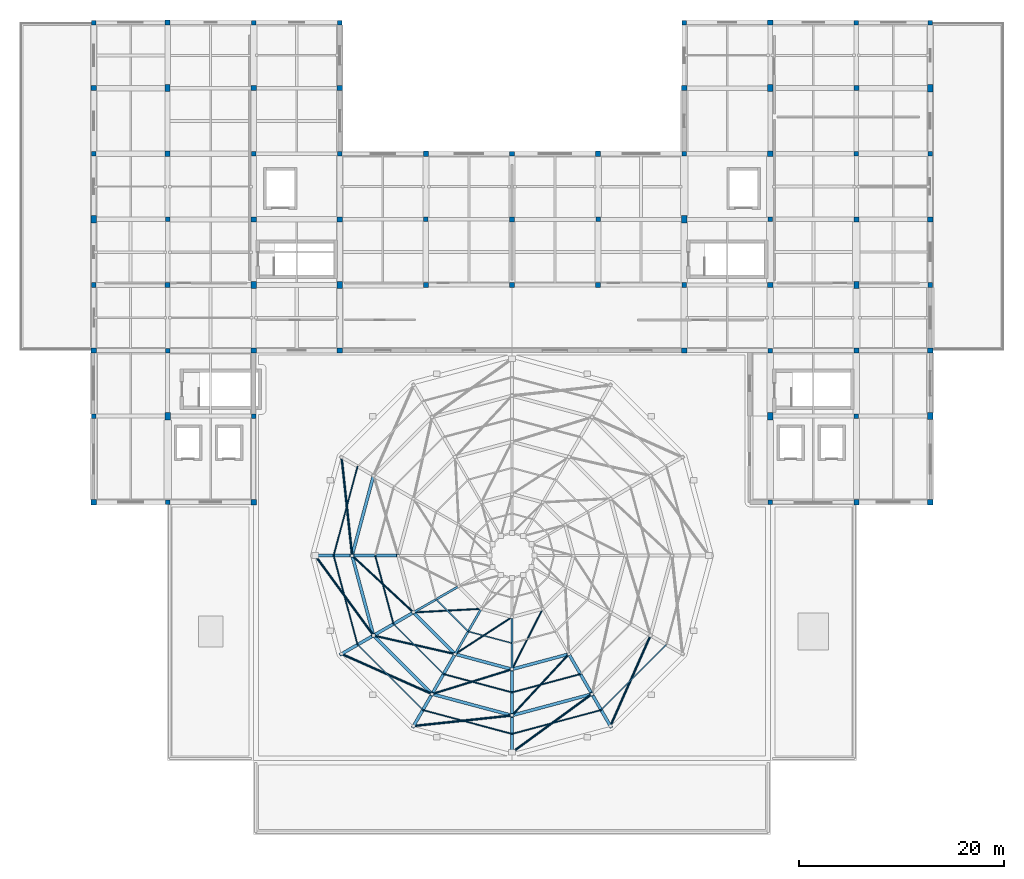
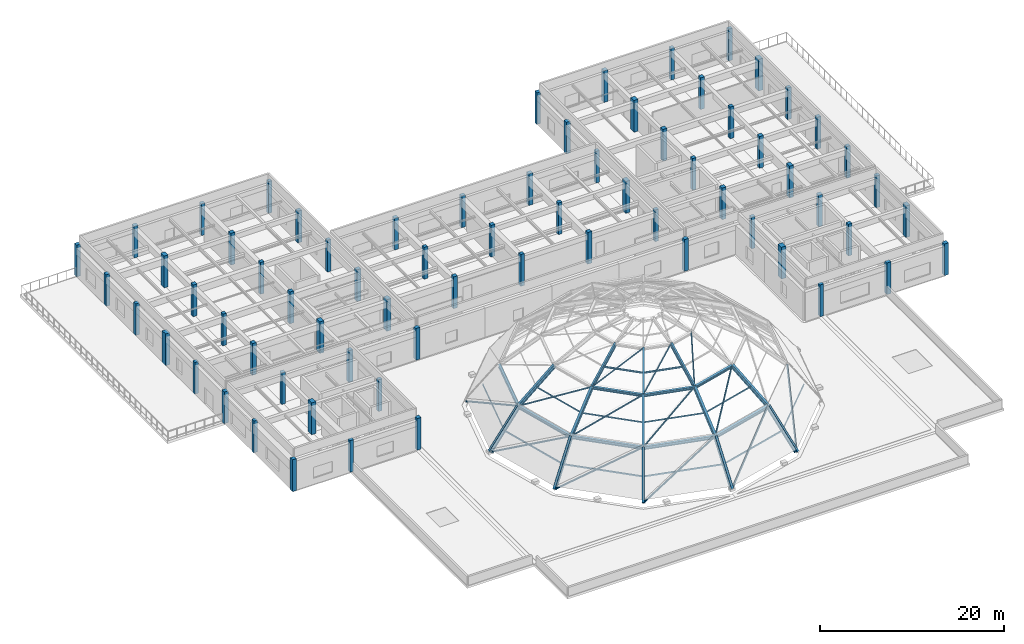
# One storey, part 1 of 18: 69 columns, 38 members, 8 beams.
"""IFC4 building model written with IfcOpenShell, lengths in metres."""

import ifcopenshell
import ifcopenshell.guid

model = None  # the IFC model being written
_history = None  # IfcOwnerHistory: only IFC2X3 demands one
_inside = {}  # id of a spatial element -> (the spatial element, [elements in it])
_under = {}  # id of a project, library or spatial element -> (it, [spatial elements below it])
_declared = {}  # id of a project -> (the project, [libraries it declares])
_typed = {}  # id of a type object -> (the type object, [elements of that type])
_made_of = {}  # id of a material, layer set ... -> (it, [elements and type objects made of it])


def new_model(schema):
    """Start an empty IFC model of exactly this schema.

    Asked for "IFC4X3", IfcOpenShell would pick the latest addendum, in which some entities
    have other attributes; the version numbers below select the first issue.
    IFC2X3 requires an IfcOwnerHistory on every rooted entity: one is made here for all.
    """
    global model, _history
    if schema == "IFC4X3":
        model = ifcopenshell.file(schema_version=(4, 3, 0, 0))
    else:
        model = ifcopenshell.file(schema=schema)
    _inside.clear()
    _under.clear()
    _declared.clear()
    _typed.clear()
    _made_of.clear()
    _history = None
    if model.schema == "IFC2X3":
        org = make("IfcOrganization", Name="unknown")
        user = make(
            "IfcPersonAndOrganization",
            ThePerson=make("IfcPerson", FamilyName="unknown"),
            TheOrganization=org,
        )
        app = make(
            "IfcApplication",
            ApplicationDeveloper=org,
            Version="unknown",
            ApplicationFullName="unknown",
            ApplicationIdentifier="unknown",
        )
        _history = make(
            "IfcOwnerHistory",
            OwningUser=user,
            OwningApplication=app,
            ChangeAction="ADDED",
            CreationDate=0,
        )
    return model


def make(cls, **values):
    """One entity of the class cls with the attributes given. An attribute that is None is left unset."""
    return model.create_entity(
        cls, **{name: value for name, value in values.items() if value is not None}
    )


def rooted(cls, **values):
    """An entity with a GlobalId (a new one), such as an element, a storey or a relation."""
    return make(cls, GlobalId=ifcopenshell.guid.new(), OwnerHistory=_history, **values)


def si_unit(unit_type, name, prefix=None):
    """IfcSIUnit, for example si_unit("LENGTHUNIT", "METRE", prefix="MILLI")."""
    return make("IfcSIUnit", UnitType=unit_type, Prefix=prefix, Name=name)


def assignment(units):
    """IfcUnitAssignment: the units of a project."""
    return None if units is None else make("IfcUnitAssignment", Units=units)


def point(xyz):
    """IfcCartesianPoint."""
    return None if xyz is None else make("IfcCartesianPoint", Coordinates=xyz)


def direction(xyz):
    """IfcDirection."""
    return None if xyz is None else make("IfcDirection", DirectionRatios=xyz)


def frame(location, z_axis=None, x_axis=None):
    """IfcAxis2Placement3D, a coordinate frame: its origin and axes. An axis left out is left unset."""
    return make(
        "IfcAxis2Placement3D",
        Location=point(location),
        Axis=direction(z_axis),
        RefDirection=direction(x_axis),
    )


def frame_2d(location, x_axis=None):
    """IfcAxis2Placement2D, a coordinate frame in the plane: its origin and x axis."""
    return make(
        "IfcAxis2Placement2D", Location=point(location), RefDirection=direction(x_axis)
    )


def origin():
    """The frame at (0, 0, 0) with its axes left unset."""
    return frame((0.0, 0.0, 0.0))


def origin_2d():
    """The frame at (0, 0) in the plane with its x axis left unset."""
    return frame_2d((0.0, 0.0))


def place(relative_to, where):
    """IfcLocalPlacement: puts the frame where relative to a parent placement (None: the world)."""
    return make(
        "IfcLocalPlacement", PlacementRelTo=relative_to, RelativePlacement=where
    )


def context(
    kind, dimensions, precision=None, world=None, true_north=None, identifier=None
):
    """IfcGeometricRepresentationContext, for example the 3D "Model" context."""
    return make(
        "IfcGeometricRepresentationContext",
        ContextIdentifier=identifier,
        ContextType=kind,
        CoordinateSpaceDimension=dimensions,
        Precision=precision,
        WorldCoordinateSystem=world,
        TrueNorth=true_north,
    )


def subcontext(parent, identifier, kind, view, scale=None):
    """IfcGeometricRepresentationSubContext, for example "Body" below "Model"."""
    return make(
        "IfcGeometricRepresentationSubContext",
        ContextIdentifier=identifier,
        ContextType=kind,
        ParentContext=parent,
        TargetScale=scale,
        TargetView=view,
    )


def project(units=None, contexts=None):
    """IfcProject with its units and contexts."""
    return rooted(
        "IfcProject",
        Name="project",
        RepresentationContexts=contexts,
        UnitsInContext=assignment(units),
    )


def spatial(cls, under=None, at=None, **own):
    """A site, building, storey or space (cls), placed at a placement, below another one or the project."""
    s = rooted(cls, ObjectPlacement=at, **own)
    if under is not None:
        _under.setdefault(under.id(), (under, []))[1].append(s)
    return s


def profile(cls, at=None, kind="AREA", **sizes):
    """A parametric profile (cls). Its sizes go by their IFC names, for example OverallWidth=200.0."""
    return make(cls, ProfileType=kind, Position=at, **sizes)


def rectangle(**sizes):
    """IfcRectangleProfileDef."""
    return profile("IfcRectangleProfileDef", **sizes)


def hollow_rectangle(**sizes):
    """IfcRectangleHollowProfileDef."""
    return profile("IfcRectangleHollowProfileDef", **sizes)


def hollow_circle(**sizes):
    """IfcCircleHollowProfileDef."""
    return profile("IfcCircleHollowProfileDef", **sizes)


def i_section(**sizes):
    """IfcIShapeProfileDef."""
    return profile("IfcIShapeProfileDef", **sizes)


def extrude(swept, where, along, depth):
    """IfcExtrudedAreaSolid: the profile swept, set in the frame where, extruded along a direction by depth."""
    return make(
        "IfcExtrudedAreaSolid",
        SweptArea=swept,
        Position=where,
        ExtrudedDirection=direction(along),
        Depth=depth,
    )


def shape(context_of_items, identifier, shape_type, items):
    """IfcShapeRepresentation: the items that make up one representation, for example the "Body"."""
    return make(
        "IfcShapeRepresentation",
        ContextOfItems=context_of_items,
        RepresentationIdentifier=identifier,
        RepresentationType=shape_type,
        Items=items,
    )


def material(Name=None, Category=None):
    """IfcMaterial."""
    return make("IfcMaterial", Name=Name, Category=Category)


def material_profile(
    of_material, cross_section, Name=None, Category=None, Priority=None
):
    """IfcMaterialProfile: a cross section and its material."""
    return make(
        "IfcMaterialProfile",
        Name=Name,
        Material=of_material,
        Profile=cross_section,
        Priority=Priority,
        Category=Category,
    )


def profile_set(profiles, Name=None, composite=None):
    """IfcMaterialProfileSet."""
    return make(
        "IfcMaterialProfileSet",
        Name=Name,
        MaterialProfiles=profiles,
        CompositeProfile=composite,
    )


def made_of(thing, what):
    """Note that an element or type object is made of a material, layer set ...; save() writes the relation."""
    if what is not None:
        _made_of.setdefault(what.id(), (what, []))[1].append(thing)
    return thing


def type_object(cls, material=None, **own):
    """A type object (cls), such as IfcWallType, which elements share."""
    return made_of(rooted(cls, **own), material)


def element(
    cls,
    number,
    at=None,
    inside=None,
    cuts=None,
    type_object=None,
    material=None,
    context=None,
    identifier="Body",
    shape_type=None,
    held_by="IfcProductDefinitionShape",
    body=None,
    shapes=None,
    **own,
):
    """One element of the class cls, such as IfcWall. Its Tag is "e" and its number.

    at: its placement. inside: the storey or other place that contains it. cuts: it is an
    opening in that element (IfcRelVoidsElement). A single representation is given by context,
    identifier, shape_type and body (its items); several are given by shapes. held_by: the class
    of the entity that holds the representations. save() writes the other relations.
    """
    e = rooted(cls, Tag="e%d" % number, ObjectPlacement=at, **own)
    if body is not None:
        shapes = [shape(context, identifier, shape_type, body)]
    if shapes is not None:
        e.Representation = make(held_by, Representations=shapes)
    if inside is not None:
        _inside.setdefault(inside.id(), (inside, []))[1].append(e)
    if cuts is not None:
        rooted(
            "IfcRelVoidsElement", RelatingBuildingElement=cuts, RelatedOpeningElement=e
        )
    if type_object is not None:
        _typed.setdefault(type_object.id(), (type_object, []))[1].append(e)
    return made_of(e, material)


def aggregate(whole, parts):
    """IfcRelAggregates: a whole, such as a stair, and the parts it consists of."""
    return rooted("IfcRelAggregates", RelatingObject=whole, RelatedObjects=parts)


def save(model, path):
    """Write the relations noted so far, then the file.

    IfcRelAggregates (storeys below a building ...), IfcRelContainedInSpatialStructure (elements
    in a storey), IfcRelDefinesByType, IfcRelAssociatesMaterial and IfcRelDeclares: one each for
    every whole, place, type object, material and project.
    """
    for whole, parts in _under.values():
        aggregate(whole, parts)
    for where, things in _inside.values():
        rooted(
            "IfcRelContainedInSpatialStructure",
            RelatedElements=things,
            RelatingStructure=where,
        )
    for kind, things in _typed.values():
        rooted("IfcRelDefinesByType", RelatedObjects=things, RelatingType=kind)
    for what, things in _made_of.values():
        rooted("IfcRelAssociatesMaterial", RelatedObjects=things, RelatingMaterial=what)
    for by, libraries in _declared.values():
        rooted("IfcRelDeclares", RelatingContext=by, RelatedDefinitions=libraries)
    model.write(path)


model = new_model("IFC4")

# Units and contexts
model_context = context("Model", 3, precision=1e-05, world=origin(), true_north=direction((0.0, 1.0)))
body_context = subcontext(model_context, "Body", "Model", "MODEL_VIEW")
ifc_project = project(units=[si_unit("LENGTHUNIT", "METRE"), si_unit("AREAUNIT", "SQUARE_METRE"), si_unit("VOLUMEUNIT", "CUBIC_METRE"), si_unit("PLANEANGLEUNIT", "RADIAN"), si_unit("MASSUNIT", "GRAM", prefix="KILO")], contexts=[model_context])

# Site, building, storey
site_placement = place(None, origin())
site = spatial("IfcSite", under=ifc_project, at=site_placement, CompositionType="ELEMENT")
building_placement = place(site_placement, origin())
building = spatial("IfcBuilding", under=site, at=building_placement, Name="Korsvaeld Concert Hall", CompositionType="ELEMENT")
storey_placement = place(building_placement, frame((0.0, 0.0, 17.39990234375)))
storey = spatial("IfcBuildingStorey", under=building, at=storey_placement, Name="L04", CompositionType="ELEMENT", Elevation=17.39990234375)

# Columns
ifc_material_1 = material(Name="Concrete C40/50", Category="concrete")
ifc_material_profile_1 = material_profile(ifc_material_1, rectangle(XDim=0.449951171875, YDim=0.449951171875, at=origin_2d()), Name="RC 450x450")
ifc_profile_set_1 = profile_set([ifc_material_profile_1], Name="Concrete C40/50")
column_type_1 = type_object("IfcColumnType", Name="COL-RC-450x450", PredefinedType="COLUMN", material=ifc_profile_set_1)
for number, where, z_axis, x_axis, name in (
    (1, (67.199951171875, 102.39990234375, 0.0), (0.0, 0.0, 1.0), (1.0, 0.0, 0.0), "Column 10/Q L04"),
    (2, (67.199951171875, 115.199951171875, 0.0), (0.0, 0.0, 1.0), (1.0, 0.0, 0.0), "Column 10/S L04"),
    (3, (75.60009765625, 96.0, 0.0), (0.0, 0.0, 1.0), (1.0, 0.0, 0.0), "Column 11/P L04"),
    (4, (84.0, 89.60009765625, 0.0), (0.0, 0.0, 1.0), (1.0, 0.0, 0.0), "Column 12/N L04"),
    (5, (84.0, 102.39990234375, 0.0), (0.0, 0.0, 1.0), (1.0, 0.0, 0.0), "Column 12/Q L04"),
    (6, (92.39990234375, 96.0, 0.0), (0.0, 0.0, 1.0), (1.0, 0.0, 0.0), "Column 13/P L04"),
    (7, (100.800048828125, 89.60009765625, 0.0), (0.0, 0.0, 1.0), (1.0, 0.0, 0.0), "Column 14/N L04"),
    (8, (100.800048828125, 102.39990234375, 0.0), (0.0, 0.0, 1.0), (1.0, 0.0, 0.0), "Column 14/Q L04"),
    (9, (100.800048828125, 115.199951171875, 0.0), (0.0, 0.0, 1.0), (1.0, 0.0, 0.0), "Column 14/S L04"),
    (10, (109.199951171875, 68.39990234375, 0.0), (0.0, 0.0, 1.0), (1.0, 0.0, 0.0), "Column 15/K L04"),
    (11, (109.199951171875, 83.199951171875, 0.0), (0.0, 0.0, 1.0), (1.0, 0.0, 0.0), "Column 15/M L04"),
    (12, (109.199951171875, 96.0, 0.0), (0.0, 0.0, 1.0), (1.0, 0.0, 0.0), "Column 15/P L04"),
    (13, (117.60009765625, 76.800048828125, 0.0), (0.0, 0.0, 1.0), (1.0, 0.0, 0.0), "Column 16/L L04"),
    (14, (117.60009765625, 102.39990234375, 0.0), (0.0, 0.0, 1.0), (1.0, 0.0, 0.0), "Column 16/Q L04"),
    (15, (117.60009765625, 115.199951171875, 0.0), (0.0, 0.0, 1.0), (1.0, 0.0, 0.0), "Column 16/S L04"),
    (16, (124.800048828125, 89.60009765625, 0.0), (0.0, 0.0, 1.0), (1.0, 0.0, 0.0), "Column 17/N L04"),
    (17, (124.800048828125, 102.39990234375, 0.0), (0.0, 0.0, 1.0), (1.0, 0.0, 0.0), "Column 17/Q L04"),
    (18, (124.800048828125, 115.199951171875, 0.0), (0.0, 0.0, 1.0), (1.0, 0.0, 0.0), "Column 17/S L04"),
    (19, (43.199951171875, 76.800048828125, 0.0), (0.0, 0.0, 1.0), (1.0, 0.0, 0.0), "Column 7/L L04"),
    (20, (43.199951171875, 89.60009765625, 0.0), (0.0, 0.0, 1.0), (1.0, 0.0, 0.0), "Column 7/N L04"),
    (21, (43.199951171875, 102.39990234375, 0.0), (0.0, 0.0, 1.0), (1.0, 0.0, 0.0), "Column 7/Q L04"),
    (22, (43.199951171875, 115.199951171875, 0.0), (0.0, 0.0, 1.0), (1.0, 0.0, 0.0), "Column 7/S L04"),
    (23, (50.39990234375, 68.39990234375, 0.0), (0.0, 0.0, 1.0), (1.0, 0.0, 0.0), "Column 8/K L04"),
    (24, (50.39990234375, 83.199951171875, 0.0), (0.0, 0.0, 1.0), (1.0, 0.0, 0.0), "Column 8/M L04"),
    (25, (50.39990234375, 96.0, 0.0), (0.0, 0.0, 1.0), (1.0, 0.0, 0.0), "Column 8/P L04"),
    (26, (58.800048828125, 76.800048828125, 0.0), (0.0, 0.0, 1.0), (1.0, 0.0, 0.0), "Column 9/L L04"),
    (27, (58.800048828125, 102.39990234375, 0.0), (0.0, 0.0, 1.0), (1.0, 0.0, 0.0), "Column 9/Q L04"),
    (28, (58.800048828125, 115.199951171875, 0.0), (0.0, 0.0, 1.0), (1.0, 0.0, 0.0), "Column 9/S L04"),
):
    element("IfcColumn", number, at=place(storey_placement, frame(where, z_axis=z_axis, x_axis=x_axis)), inside=storey, type_object=column_type_1, Name=name, PredefinedType="COLUMN", context=body_context, shape_type="SweptSolid", body=[
        extrude(rectangle(XDim=0.449951171875, YDim=0.449951171875, at=origin_2d()), origin(), (0.0, 0.0, 1.0), 4.2001953125),
    ])
ifc_material_profile_2 = material_profile(ifc_material_1, rectangle(XDim=0.5, YDim=0.5, at=origin_2d()), Name="RC 500x500")
ifc_profile_set_2 = profile_set([ifc_material_profile_2], Name="Concrete C40/50")
column_type_2 = type_object("IfcColumnType", Name="COL-RC-500x500", PredefinedType="COLUMN", material=ifc_profile_set_2)
for number, where, z_axis, x_axis, name in (
    (29, (67.199951171875, 83.199951171875, 0.0), (0.0, 0.0, 1.0), (1.0, 0.0, 0.0), "Column 10/M L04"),
    (30, (67.199951171875, 96.0, 0.0), (0.0, 0.0, 1.0), (1.0, 0.0, 0.0), "Column 10/P L04"),
    (31, (67.199951171875, 108.800048828125, 0.0), (0.0, 0.0, 1.0), (1.0, 0.0, 0.0), "Column 10/R L04"),
    (32, (75.60009765625, 89.60009765625, 0.0), (0.0, 0.0, 1.0), (1.0, 0.0, 0.0), "Column 11/N L04"),
    (33, (75.60009765625, 102.39990234375, 0.0), (0.0, 0.0, 1.0), (1.0, 0.0, 0.0), "Column 11/Q L04"),
    (34, (84.0, 96.0, 0.0), (0.0, 0.0, 1.0), (1.0, 0.0, 0.0), "Column 12/P L04"),
    (35, (92.39990234375, 89.60009765625, 0.0), (0.0, 0.0, 1.0), (1.0, 0.0, 0.0), "Column 13/N L04"),
    (36, (92.39990234375, 102.39990234375, 0.0), (0.0, 0.0, 1.0), (1.0, 0.0, 0.0), "Column 13/Q L04"),
    (37, (100.800048828125, 83.199951171875, 0.0), (0.0, 0.0, 1.0), (1.0, 0.0, 0.0), "Column 14/M L04"),
    (38, (100.800048828125, 108.800048828125, 0.0), (0.0, 0.0, 1.0), (1.0, 0.0, 0.0), "Column 14/R L04"),
    (39, (109.199951171875, 89.60009765625, 0.0), (0.0, 0.0, 1.0), (1.0, 0.0, 0.0), "Column 15/N L04"),
    (40, (109.199951171875, 102.39990234375, 0.0), (0.0, 0.0, 1.0), (1.0, 0.0, 0.0), "Column 15/Q L04"),
    (41, (109.199951171875, 115.199951171875, 0.0), (0.0, 0.0, 1.0), (1.0, 0.0, 0.0), "Column 15/S L04"),
    (42, (117.60009765625, 68.39990234375, 0.0), (0.0, 0.0, 1.0), (1.0, 0.0, 0.0), "Column 16/K L04"),
    (43, (117.60009765625, 83.199951171875, 0.0), (0.0, 0.0, 1.0), (1.0, 0.0, 0.0), "Column 16/M L04"),
    (44, (117.60009765625, 96.0, 0.0), (0.0, 0.0, 1.0), (1.0, 0.0, 0.0), "Column 16/P L04"),
    (45, (117.60009765625, 108.800048828125, 0.0), (0.0, 0.0, 1.0), (1.0, 0.0, 0.0), "Column 16/R L04"),
    (46, (124.800048828125, 68.39990234375, 0.0), (0.0, 0.0, 1.0), (1.0, 0.0, 0.0), "Column 17/K L04"),
    (47, (124.800048828125, 83.199951171875, 0.0), (0.0, 0.0, 1.0), (1.0, 0.0, 0.0), "Column 17/M L04"),
    (48, (124.800048828125, 96.0, 0.0), (0.0, 0.0, 1.0), (1.0, 0.0, 0.0), "Column 17/P L04"),
    (49, (43.199951171875, 68.39990234375, 0.0), (0.0, 0.0, 1.0), (1.0, 0.0, 0.0), "Column 7/K L04"),
    (50, (43.199951171875, 83.199951171875, 0.0), (0.0, 0.0, 1.0), (1.0, 0.0, 0.0), "Column 7/M L04"),
    (51, (43.199951171875, 108.800048828125, 0.0), (0.0, 0.0, 1.0), (1.0, 0.0, 0.0), "Column 7/R L04"),
    (52, (50.39990234375, 89.60009765625, 0.0), (0.0, 0.0, 1.0), (1.0, 0.0, 0.0), "Column 8/N L04"),
    (53, (50.39990234375, 102.39990234375, 0.0), (0.0, 0.0, 1.0), (1.0, 0.0, 0.0), "Column 8/Q L04"),
    (54, (50.39990234375, 115.199951171875, 0.0), (0.0, 0.0, 1.0), (1.0, 0.0, 0.0), "Column 8/S L04"),
    (55, (58.800048828125, 68.39990234375, 0.0), (0.0, 0.0, 1.0), (1.0, 0.0, 0.0), "Column 9/K L04"),
    (56, (58.800048828125, 83.199951171875, 0.0), (0.0, 0.0, 1.0), (1.0, 0.0, 0.0), "Column 9/M L04"),
    (57, (58.800048828125, 96.0, 0.0), (0.0, 0.0, 1.0), (1.0, 0.0, 0.0), "Column 9/P L04"),
    (58, (58.800048828125, 108.800048828125, 0.0), (0.0, 0.0, 1.0), (1.0, 0.0, 0.0), "Column 9/R L04"),
):
    element("IfcColumn", number, at=place(storey_placement, frame(where, z_axis=z_axis, x_axis=x_axis)), inside=storey, type_object=column_type_2, Name=name, PredefinedType="COLUMN", context=body_context, shape_type="SweptSolid", body=[
        extrude(rectangle(XDim=0.5, YDim=0.5, at=origin_2d()), origin(), (0.0, 0.0, 1.0), 4.2001953125),
    ])
ifc_material_profile_3 = material_profile(ifc_material_1, rectangle(XDim=0.5, YDim=0.699951171875, at=origin_2d()), Name="RC 500x700")
ifc_profile_set_3 = profile_set([ifc_material_profile_3], Name="Concrete C40/50")
column_type_3 = type_object("IfcColumnType", Name="COL-RC-500x700", PredefinedType="COLUMN", material=ifc_profile_set_3)
for number, where, z_axis, x_axis, name in (
    (59, (67.199951171875, 89.60009765625, 0.0), (0.0, 0.0, 1.0), (1.0, 0.0, 0.0), "Column 10/N L04"),
    (60, (109.199951171875, 108.800048828125, 0.0), (0.0, 0.0, 1.0), (1.0, 0.0, 0.0), "Column 15/R L04"),
    (61, (117.60009765625, 89.60009765625, 0.0), (0.0, 0.0, 1.0), (1.0, 0.0, 0.0), "Column 16/N L04"),
    (62, (124.800048828125, 76.800048828125, 0.0), (0.0, 0.0, 1.0), (1.0, 0.0, 0.0), "Column 17/L L04"),
    (63, (50.39990234375, 108.800048828125, 0.0), (0.0, 0.0, 1.0), (1.0, 0.0, 0.0), "Column 8/R L04"),
    (64, (58.800048828125, 89.60009765625, 0.0), (0.0, 0.0, 1.0), (1.0, 0.0, 0.0), "Column 9/N L04"),
):
    element("IfcColumn", number, at=place(storey_placement, frame(where, z_axis=z_axis, x_axis=x_axis)), inside=storey, type_object=column_type_3, Name=name, PredefinedType="COLUMN", context=body_context, shape_type="SweptSolid", body=[
        extrude(rectangle(XDim=0.5, YDim=0.699951171875, at=origin_2d()), origin(), (0.0, 0.0, 1.0), 4.2001953125),
    ])
ifc_material_profile_4 = material_profile(ifc_material_1, rectangle(XDim=0.550048828125, YDim=0.75, at=origin_2d()), Name="RC 550x750")
ifc_profile_set_4 = profile_set([ifc_material_profile_4], Name="Concrete C40/50")
column_type_4 = type_object("IfcColumnType", Name="COL-RC-550x750", PredefinedType="COLUMN", material=ifc_profile_set_4)
for number, where, z_axis, x_axis, name in (
    (65, (100.800048828125, 96.0, 0.0), (0.0, 0.0, 1.0), (1.0, 0.0, 0.0), "Column 14/P L04"),
    (66, (109.199951171875, 76.800048828125, 0.0), (0.0, 0.0, 1.0), (1.0, 0.0, 0.0), "Column 15/L L04"),
    (67, (124.800048828125, 108.800048828125, 0.0), (0.0, 0.0, 1.0), (1.0, 0.0, 0.0), "Column 17/R L04"),
    (68, (43.199951171875, 96.0, 0.0), (0.0, 0.0, 1.0), (1.0, 0.0, 0.0), "Column 7/P L04"),
    (69, (50.39990234375, 76.800048828125, 0.0), (0.0, 0.0, 1.0), (1.0, 0.0, 0.0), "Column 8/L L04"),
):
    element("IfcColumn", number, at=place(storey_placement, frame(where, z_axis=z_axis, x_axis=x_axis)), inside=storey, type_object=column_type_4, Name=name, PredefinedType="COLUMN", context=body_context, shape_type="SweptSolid", body=[
        extrude(rectangle(XDim=0.550048828125, YDim=0.75, at=origin_2d()), origin(), (0.0, 0.0, 1.0), 4.2001953125),
    ])

# Beams
ifc_material_2 = material(Name="Steel S355J2", Category="steel")
ifc_material_profile_5 = material_profile(ifc_material_2, i_section(OverallWidth=0.300048828125, OverallDepth=0.340087890625, WebThickness=0.011962890625, FlangeThickness=0.021484375, FilletRadius=0.027099609375, at=origin_2d()), Name="HEB 340")
ifc_profile_set_5 = profile_set([ifc_material_profile_5], Name="Steel S355J2")
beam_type_1 = type_object("IfcBeamType", Name="BM-RING-HEB340", PredefinedType="USERDEFINED", material=ifc_profile_set_5)
beam_placement = place(storey_placement, frame((74.38720703125, 57.64990234375, 9.16015625), z_axis=(0.707106781187, -0.707106781187, 0.0), x_axis=(0.707106781187, 0.707106781187, 0.0)))
element("IfcBeam", 70, at=beam_placement, inside=storey, type_object=beam_type_1, Name="Dome latitude ring beam T2.B08", ObjectType="RING BEAM", PredefinedType="USERDEFINED", context=body_context, shape_type="SweptSolid", body=[
    extrude(i_section(OverallWidth=0.300048828125, OverallDepth=0.340087890625, WebThickness=0.011962890625, FlangeThickness=0.021484375, FilletRadius=0.027099609375, at=origin_2d()), origin(), (0.0, 0.0, 1.0), 5.74560546875),
])
for number, where, z_axis, x_axis, name in (
    (71, (78.449951171875, 53.587158203125, 9.16015625), (0.965928896046, -0.258807588344, 0.0), (0.258807588344, 0.965928896046, 0.0), "Dome latitude ring beam T2.B09"),
    (72, (84.0, 52.10009765625, 9.16015625), (0.965928896046, 0.258807588344, 0.0), (-0.258807588344, 0.965928896046, 0.0), "Dome latitude ring beam T2.B10"),
):
    element("IfcBeam", number, at=place(storey_placement, frame(where, z_axis=z_axis, x_axis=x_axis)), inside=storey, type_object=beam_type_1, Name=name, ObjectType="RING BEAM", PredefinedType="USERDEFINED", context=body_context, shape_type="SweptSolid", body=[
        extrude(i_section(OverallWidth=0.300048828125, OverallDepth=0.340087890625, WebThickness=0.011962890625, FlangeThickness=0.021484375, FilletRadius=0.027099609375, at=origin_2d()), origin(), (0.0, 0.0, 1.0), 5.745849609375),
    ])
ifc_material_profile_6 = material_profile(ifc_material_2, i_section(OverallWidth=0.300048828125, OverallDepth=0.39990234375, WebThickness=0.013427734375, FlangeThickness=0.02392578125, FilletRadius=0.027099609375, at=origin_2d()), Name="HEB 400")
ifc_profile_set_6 = profile_set([ifc_material_profile_6], Name="Steel S355J2")
beam_type_2 = type_object("IfcBeamType", Name="BM-RING-HEB400", PredefinedType="USERDEFINED", material=ifc_profile_set_6)
for number, where, z_axis, x_axis, name in (
    (73, (70.489990234375, 71.0, 5.360107421875), (-0.258827260717, -0.965923624884, 0.0), (0.965923624884, -0.258827260717, 0.0), "Dome latitude ring beam T1.B06"),
    (74, (68.39990234375, 63.199951171875, 5.360107421875), (0.258827260717, -0.965923624884, 0.0), (0.965923624884, 0.258827260717, 0.0), "Dome latitude ring beam T1.B07"),
    (75, (70.489990234375, 55.39990234375, 5.360107421875), (0.707106781187, -0.707106781187, 0.0), (0.707106781187, 0.707106781187, 0.0), "Dome latitude ring beam T1.B08"),
    (76, (76.199951171875, 49.68994140625, 5.360107421875), (0.965931183079, -0.258799052463, 0.0), (0.258799052463, 0.965931183079, 0.0), "Dome latitude ring beam T1.B09"),
    (77, (84.0, 47.60009765625, 5.360107421875), (0.965931183079, 0.258799052463, 0.0), (-0.258799052463, 0.965931183079, 0.0), "Dome latitude ring beam T1.B10"),
):
    element("IfcBeam", number, at=place(storey_placement, frame(where, z_axis=z_axis, x_axis=x_axis)), inside=storey, type_object=beam_type_2, Name=name, ObjectType="RING BEAM", PredefinedType="USERDEFINED", context=body_context, shape_type="SweptSolid", body=[
        extrude(i_section(OverallWidth=0.300048828125, OverallDepth=0.39990234375, WebThickness=0.013427734375, FlangeThickness=0.02392578125, FilletRadius=0.027099609375, at=origin_2d()), origin(), (0.0, 0.0, 1.0), 8.0751953125),
    ])

# Members
ifc_material_profile_7 = material_profile(ifc_material_2, hollow_circle(Radius=0.084228515625, WallThickness=0.008056640625, at=origin_2d()), Name="CHS 168.3x8")
ifc_profile_set_7 = profile_set([ifc_material_profile_7], Name="Steel S355J2")
member_type_1 = type_object("IfcMemberType", Name="MEM-BRC-CHS168", PredefinedType="BRACE", material=ifc_profile_set_7)
for number, where, z_axis, x_axis, name in (
    (78, (74.38720703125, 57.64990234375, 9.25), (0.929492558563, 0.049758702279, 0.365469089149), (-0.053456647282, 0.998570171226, 0.0), "Dome diagonal brace T3.B08"),
    (79, (78.449951171875, 53.587158203125, 9.25), (0.78010606294, 0.507808451123, 0.365465603761), (-0.54554673066, 0.838080404655, 0.0), "Dome diagonal brace T3.B09"),
    (80, (84.0, 52.10009765625, 9.25), (0.421676738996, 0.82983291849, 0.365466900253), (-0.891503247431, 0.453014304211, 0.0), "Dome diagonal brace T3.B10"),
):
    element("IfcMember", number, at=place(storey_placement, frame(where, z_axis=z_axis, x_axis=x_axis)), inside=storey, type_object=member_type_1, Name=name, PredefinedType="BRACE", context=body_context, shape_type="SweptSolid", body=[
        extrude(hollow_circle(Radius=0.084228515625, WallThickness=0.008056640625, at=origin_2d()), origin(), (0.0, 0.0, 1.0), 7.114501953125),
    ])
ifc_material_profile_8 = material_profile(ifc_material_2, hollow_circle(Radius=0.096923828125, WallThickness=0.010009765625, at=origin_2d()), Name="CHS 193.7x10")
ifc_profile_set_8 = profile_set([ifc_material_profile_8], Name="Steel S355J2")
member_type_2 = type_object("IfcMemberType", Name="MEM-BRC-CHS193", PredefinedType="BRACE", material=ifc_profile_set_8)
member_1_placement = place(storey_placement, frame((68.39990234375, 63.199951171875, 5.4501953125), z_axis=(0.664889359379, -0.616332156531, 0.421967786225), x_axis=(0.679819984239, 0.7333790214, 0.0)))
element("IfcMember", 81, at=member_1_placement, inside=storey, type_object=member_type_2, Name="Dome diagonal brace T2.B07", PredefinedType="BRACE", context=body_context, shape_type="SweptSolid", body=[
    extrude(hollow_circle(Radius=0.096923828125, WallThickness=0.010009765625, at=origin_2d()), origin(), (0.0, 0.0, 1.0), 9.0048828125),
])
member_2_placement = place(storey_placement, frame((70.489990234375, 55.39990234375, 5.4501953125), z_axis=(0.883973494175, -0.201309753228, 0.421977777676), x_axis=(0.22204763099, 0.975035819635, 0.0)))
element("IfcMember", 82, at=member_2_placement, inside=storey, type_object=member_type_2, Name="Dome diagonal brace T2.B08", PredefinedType="BRACE", context=body_context, shape_type="SweptSolid", body=[
    extrude(hollow_circle(Radius=0.096923828125, WallThickness=0.010009765625, at=origin_2d()), origin(), (0.0, 0.0, 1.0), 9.004638671875),
])
for number, where, z_axis, x_axis, name in (
    (83, (76.199951171875, 49.68994140625, 5.4501953125), (0.866200993234, 0.267649572919, 0.421971024404), (-0.295220408345, 0.955429176076, 0.0), "Dome diagonal brace T2.B09"),
    (84, (84.0, 47.60009765625, 5.4501953125), (0.616343266815, 0.664874232706, 0.421975392808), (-0.733365200404, 0.679834893806, 0.0), "Dome diagonal brace T2.B10"),
):
    element("IfcMember", number, at=place(storey_placement, frame(where, z_axis=z_axis, x_axis=x_axis)), inside=storey, type_object=member_type_2, Name=name, PredefinedType="BRACE", context=body_context, shape_type="SweptSolid", body=[
        extrude(hollow_circle(Radius=0.096923828125, WallThickness=0.010009765625, at=origin_2d()), origin(), (0.0, 0.0, 1.0), 9.0048828125),
    ])
ifc_material_profile_9 = material_profile(ifc_material_2, hollow_circle(Radius=0.109619140625, WallThickness=0.010009765625, at=origin_2d()), Name="CHS 219.1x10")
ifc_profile_set_9 = profile_set([ifc_material_profile_9], Name="Steel S355J2")
member_type_3 = type_object("IfcMemberType", Name="MEM-BRC-CHS219", PredefinedType="BRACE", material=ifc_profile_set_9)
for number, where, z_axis, x_axis, name in (
    (85, (67.372314453125, 72.800048828125, 0.60009765625), (0.095105753593, -0.888512340886, 0.448888310972), (0.994320054158, 0.106431338893, 0.0), "Dome diagonal brace T1.B06"),
    (86, (64.800048828125, 63.199951171875, 0.60009765625), (0.526621535695, -0.72191845207, 0.448891419726), (0.807888890022, 0.589334829599, 0.0), "Dome diagonal brace T1.B07"),
    (87, (67.372314453125, 53.60009765625, 0.60009765625), (0.817023824974, -0.361896498169, 0.44889084869), (0.404993203198, 0.914319695382, 0.0), "Dome diagonal brace T1.B08"),
    (88, (74.39990234375, 46.572265625, 0.60009765625), (0.88851043126, 0.095128144947, 0.448887346203), (-0.106456338964, 0.99431737785, 0.0), "Dome diagonal brace T1.B09"),
    (89, (84.0, 44.0, 0.60009765625), (0.72191845207, 0.526621535695, 0.448891419726), (-0.589334829599, 0.807888890022, 0.0), "Dome diagonal brace T1.B10"),
):
    element("IfcMember", number, at=place(storey_placement, frame(where, z_axis=z_axis, x_axis=x_axis)), inside=storey, type_object=member_type_3, Name=name, PredefinedType="BRACE", context=body_context, shape_type="SweptSolid", body=[
        extrude(hollow_circle(Radius=0.109619140625, WallThickness=0.010009765625, at=origin_2d()), origin(), (0.0, 0.0, 1.0), 10.8046875),
    ])
member_3_placement = place(storey_placement, frame((93.60009765625, 46.572265625, 0.60009765625), z_axis=(0.361876861361, 0.81703050597, 0.448894519376), x_axis=(-0.914329058761, 0.404972063611, 0.0)))
element("IfcMember", 90, at=member_3_placement, inside=storey, type_object=member_type_3, Name="Dome diagonal brace T1.B11", PredefinedType="BRACE", context=body_context, shape_type="SweptSolid", body=[
    extrude(hollow_circle(Radius=0.109619140625, WallThickness=0.010009765625, at=origin_2d()), origin(), (0.0, 0.0, 1.0), 10.804443359375),
])
ifc_material_profile_10 = material_profile(ifc_material_2, i_section(OverallWidth=0.110107421875, OverallDepth=0.219970703125, WebThickness=0.005859375, FlangeThickness=0.00927734375, FilletRadius=0.011962890625, at=origin_2d()), Name="IPE 220")
ifc_profile_set_10 = profile_set([ifc_material_profile_10], Name="Steel S355J2")
member_type_4 = type_object("IfcMemberType", Name="MEM-PUR-IPE220", PredefinedType="PURLIN", material=ifc_profile_set_10)
member_4_placement = place(storey_placement, frame((76.595458984375, 58.925048828125, 10.35009765625), z_axis=(0.707106781187, -0.707106781187, 0.0), x_axis=(0.707106781187, 0.707106781187, 0.0)))
element("IfcMember", 91, at=member_4_placement, inside=storey, type_object=member_type_4, Name="Dome hoop purlin T3.B08", PredefinedType="PURLIN", context=body_context, shape_type="SweptSolid", body=[
    extrude(i_section(OverallWidth=0.110107421875, OverallDepth=0.219970703125, WebThickness=0.005859375, FlangeThickness=0.00927734375, FilletRadius=0.011962890625, at=origin_2d()), origin(), (0.0, 0.0, 1.0), 4.426025390625),
])
member_5_placement = place(storey_placement, frame((79.72509765625, 55.79541015625, 10.35009765625), z_axis=(0.965922935072, -0.258829835029, 0.0), x_axis=(0.258829835029, 0.965922935072, 0.0)))
element("IfcMember", 92, at=member_5_placement, inside=storey, type_object=member_type_4, Name="Dome hoop purlin T3.B09", PredefinedType="PURLIN", context=body_context, shape_type="SweptSolid", body=[
    extrude(i_section(OverallWidth=0.110107421875, OverallDepth=0.219970703125, WebThickness=0.005859375, FlangeThickness=0.00927734375, FilletRadius=0.011962890625, at=origin_2d()), origin(), (0.0, 0.0, 1.0), 4.42578125),
])
ifc_material_profile_11 = material_profile(ifc_material_2, hollow_rectangle(XDim=0.10009765625, YDim=0.14990234375, WallThickness=0.008056640625, at=origin_2d()), Name="RHS 150x100x8")
ifc_profile_set_11 = profile_set([ifc_material_profile_11], Name="Steel S355J2")
member_type_5 = type_object("IfcMemberType", Name="MEM-PUR-RHS150", PredefinedType="PURLIN", material=ifc_profile_set_11)
member_6_placement = place(storey_placement, frame((70.64990234375, 63.199951171875, 7.150146484375), z_axis=(0.258852044145, -0.965916983618, 0.0), x_axis=(0.965916983618, 0.258852044145, 0.0)))
element("IfcMember", 93, at=member_6_placement, inside=storey, type_object=member_type_5, Name="Dome hoop purlin T2.B07", PredefinedType="PURLIN", context=body_context, shape_type="SweptSolid", body=[
    extrude(hollow_rectangle(XDim=0.10009765625, YDim=0.14990234375, WallThickness=0.008056640625, at=origin_2d()), origin(), (0.0, 0.0, 1.0), 6.91064453125),
])
member_7_placement = place(storey_placement, frame((72.438720703125, 56.52490234375, 7.150146484375), z_axis=(0.707106781187, -0.707106781187, 0.0), x_axis=(0.707106781187, 0.707106781187, 0.0)))
element("IfcMember", 94, at=member_7_placement, inside=storey, type_object=member_type_5, Name="Dome hoop purlin T2.B08", PredefinedType="PURLIN", context=body_context, shape_type="SweptSolid", body=[
    extrude(hollow_rectangle(XDim=0.10009765625, YDim=0.14990234375, WallThickness=0.008056640625, at=origin_2d()), origin(), (0.0, 0.0, 1.0), 6.91015625),
])
for number, where, z_axis, x_axis, name in (
    (95, (77.324951171875, 51.638671875, 7.150146484375), (0.965925816311, -0.258819082341, 0.0), (0.258819082341, 0.965925816311, 0.0), "Dome hoop purlin T2.B09"),
    (96, (84.0, 49.85009765625, 7.150146484375), (0.965925816311, 0.258819082341, 0.0), (-0.258819082341, 0.965925816311, 0.0), "Dome hoop purlin T2.B10"),
):
    element("IfcMember", number, at=place(storey_placement, frame(where, z_axis=z_axis, x_axis=x_axis)), inside=storey, type_object=member_type_5, Name=name, PredefinedType="PURLIN", context=body_context, shape_type="SweptSolid", body=[
        extrude(hollow_rectangle(XDim=0.10009765625, YDim=0.14990234375, WallThickness=0.008056640625, at=origin_2d()), origin(), (0.0, 0.0, 1.0), 6.910400390625),
    ])
ifc_material_profile_12 = material_profile(ifc_material_2, hollow_rectangle(XDim=0.10009765625, YDim=0.179931640625, WallThickness=0.008056640625, at=origin_2d()), Name="RHS 180x100x8")
ifc_profile_set_12 = profile_set([ifc_material_profile_12], Name="Steel S355J2")
member_type_6 = type_object("IfcMemberType", Name="MEM-PUR-RHS180", PredefinedType="PURLIN", material=ifc_profile_set_12)
for number, where, z_axis, x_axis, name in (
    (97, (68.93115234375, 71.89990234375, 2.8251953125), (-0.258809700989, -0.965928329988, 0.0), (0.965928329988, -0.258809700989, 0.0), "Dome hoop purlin T1.B06"),
    (98, (66.60009765625, 63.199951171875, 2.8251953125), (0.258809700989, -0.965928329988, 0.0), (0.965928329988, 0.258809700989, 0.0), "Dome hoop purlin T1.B07"),
):
    element("IfcMember", number, at=place(storey_placement, frame(where, z_axis=z_axis, x_axis=x_axis)), inside=storey, type_object=member_type_6, Name=name, PredefinedType="PURLIN", context=body_context, shape_type="SweptSolid", body=[
        extrude(hollow_rectangle(XDim=0.10009765625, YDim=0.179931640625, WallThickness=0.008056640625, at=origin_2d()), origin(), (0.0, 0.0, 1.0), 9.0068359375),
    ])
member_8_placement = place(storey_placement, frame((68.93115234375, 54.5, 2.8251953125), z_axis=(0.707106781187, -0.707106781187, 0.0), x_axis=(0.707106781187, 0.707106781187, 0.0)))
element("IfcMember", 99, at=member_8_placement, inside=storey, type_object=member_type_6, Name="Dome hoop purlin T1.B08", PredefinedType="PURLIN", context=body_context, shape_type="SweptSolid", body=[
    extrude(hollow_rectangle(XDim=0.10009765625, YDim=0.179931640625, WallThickness=0.008056640625, at=origin_2d()), origin(), (0.0, 0.0, 1.0), 9.007080078125),
])
for number, where, z_axis, x_axis, name in (
    (100, (75.300048828125, 48.131103515625, 2.8251953125), (0.965928329988, -0.258809700989, 0.0), (0.258809700989, 0.965928329988, 0.0), "Dome hoop purlin T1.B09"),
    (101, (84.0, 45.800048828125, 2.8251953125), (0.965928329988, 0.258809700989, 0.0), (-0.258809700989, 0.965928329988, 0.0), "Dome hoop purlin T1.B10"),
):
    element("IfcMember", number, at=place(storey_placement, frame(where, z_axis=z_axis, x_axis=x_axis)), inside=storey, type_object=member_type_6, Name=name, PredefinedType="PURLIN", context=body_context, shape_type="SweptSolid", body=[
        extrude(hollow_rectangle(XDim=0.10009765625, YDim=0.179931640625, WallThickness=0.008056640625, at=origin_2d()), origin(), (0.0, 0.0, 1.0), 9.0068359375),
    ])
member_9_placement = place(storey_placement, frame((92.699951171875, 48.131103515625, 2.8251953125), z_axis=(0.707106781187, 0.707106781187, 0.0), x_axis=(-0.707106781187, 0.707106781187, 0.0)))
element("IfcMember", 102, at=member_9_placement, inside=storey, type_object=member_type_6, Name="Dome hoop purlin T1.B11", PredefinedType="PURLIN", context=body_context, shape_type="SweptSolid", body=[
    extrude(hollow_rectangle(XDim=0.10009765625, YDim=0.179931640625, WallThickness=0.008056640625, at=origin_2d()), origin(), (0.0, 0.0, 1.0), 9.007080078125),
])
ifc_material_profile_13 = material_profile(ifc_material_2, i_section(OverallWidth=0.300048828125, OverallDepth=0.449951171875, WebThickness=0.013916015625, FlangeThickness=0.02587890625, FilletRadius=0.027099609375, at=origin_2d()), Name="HEB 450")
ifc_profile_set_13 = profile_set([ifc_material_profile_13], Name="Steel S355J2")
member_type_7 = type_object("IfcMemberType", Name="MEM-RIB-HEB450", PredefinedType="USERDEFINED", material=ifc_profile_set_13)
for number, where, z_axis, x_axis, name in (
    (103, (68.39990234375, 63.199951171875, 5.4501953125), (0.76404626226, 0.0, 0.645161459734), (0.0, 1.0, 0.0), "Main Hall radial steel dome rib B07.2"),
    (104, (70.489990234375, 55.39990234375, 5.4501953125), (0.661693254378, 0.382018732841, 0.645154031894), (-0.499990139034, 0.866031096941, 0.0), "Main Hall radial steel dome rib B08.2"),
    (105, (76.199951171875, 49.68994140625, 5.4501953125), (0.382018732841, 0.661693254378, 0.645154031894), (-0.866031096941, 0.499990139034, 0.0), "Main Hall radial steel dome rib B09.2"),
    (106, (84.0, 47.60009765625, 5.4501953125), (0.0, 0.76404626226, 0.645161459734), (-1.0, 0.0, 0.0), "Main Hall radial steel dome rib B10.2"),
    (107, (91.800048828125, 49.68994140625, 5.4501953125), (-0.382018732841, 0.661693254378, 0.645154031894), (-0.866031096941, -0.499990139034, 0.0), "Main Hall radial steel dome rib B11.2"),
):
    element("IfcMember", number, at=place(storey_placement, frame(where, z_axis=z_axis, x_axis=x_axis)), inside=storey, type_object=member_type_7, Name=name, ObjectType="ARCH SEGMENT", PredefinedType="USERDEFINED", context=body_context, shape_type="SweptSolid", body=[
        extrude(i_section(OverallWidth=0.300048828125, OverallDepth=0.449951171875, WebThickness=0.013916015625, FlangeThickness=0.02587890625, FilletRadius=0.027099609375, at=origin_2d()), origin(), (0.0, 0.0, 1.0), 5.8896484375),
    ])
ifc_material_profile_14 = material_profile(ifc_material_2, i_section(OverallWidth=0.300048828125, OverallDepth=0.5, WebThickness=0.014404296875, FlangeThickness=0.028076171875, FilletRadius=0.027099609375, at=origin_2d()), Name="HEB 500")
ifc_profile_set_14 = profile_set([ifc_material_profile_14], Name="Steel S355J2")
member_type_8 = type_object("IfcMemberType", Name="MEM-RIB-HEB500", PredefinedType="USERDEFINED", material=ifc_profile_set_14)
for number, where, z_axis, x_axis, name in (
    (108, (64.800048828125, 63.199951171875, 0.60009765625), (0.595995763339, 0.0, 0.802987577788), (0.0, 1.0, 0.0), "Main Hall radial steel dome rib B07.1"),
    (109, (67.372314453125, 53.60009765625, 0.60009765625), (0.516164083998, 0.297976634866, 0.80298478408), (-0.499961193289, 0.866047807691, 0.0), "Main Hall radial steel dome rib B08.1"),
    (110, (74.39990234375, 46.572265625, 0.60009765625), (0.298013465354, 0.516157866889, 0.802975112264), (-0.866018442252, 0.500012057535, 0.0), "Main Hall radial steel dome rib B09.1"),
):
    element("IfcMember", number, at=place(storey_placement, frame(where, z_axis=z_axis, x_axis=x_axis)), inside=storey, type_object=member_type_8, Name=name, ObjectType="ARCH SEGMENT", PredefinedType="USERDEFINED", context=body_context, shape_type="SweptSolid", body=[
        extrude(i_section(OverallWidth=0.300048828125, OverallDepth=0.5, WebThickness=0.014404296875, FlangeThickness=0.028076171875, FilletRadius=0.027099609375, at=origin_2d()), origin(), (0.0, 0.0, 1.0), 6.0400390625),
    ])
member_10_placement = place(storey_placement, frame((84.0, 44.0, 0.60009765625), z_axis=(0.0, 0.596021824896, 0.802968233648), x_axis=(-1.0, 0.0, 0.0)))
element("IfcMember", 111, at=member_10_placement, inside=storey, type_object=member_type_8, Name="Main Hall radial steel dome rib B10.1", ObjectType="ARCH SEGMENT", PredefinedType="USERDEFINED", context=body_context, shape_type="SweptSolid", body=[
    extrude(i_section(OverallWidth=0.300048828125, OverallDepth=0.5, WebThickness=0.014404296875, FlangeThickness=0.028076171875, FilletRadius=0.027099609375, at=origin_2d()), origin(), (0.0, 0.0, 1.0), 6.040283203125),
])
member_11_placement = place(storey_placement, frame((93.60009765625, 46.572265625, 0.60009765625), z_axis=(-0.298013465354, 0.516157866889, 0.802975112264), x_axis=(-0.866018442252, -0.500012057535, 0.0)))
element("IfcMember", 112, at=member_11_placement, inside=storey, type_object=member_type_8, Name="Main Hall radial steel dome rib B11.1", ObjectType="ARCH SEGMENT", PredefinedType="USERDEFINED", context=body_context, shape_type="SweptSolid", body=[
    extrude(i_section(OverallWidth=0.300048828125, OverallDepth=0.5, WebThickness=0.014404296875, FlangeThickness=0.028076171875, FilletRadius=0.027099609375, at=origin_2d()), origin(), (0.0, 0.0, 1.0), 6.0400390625),
])
ifc_material_profile_15 = material_profile(ifc_material_2, i_section(OverallWidth=0.2099609375, OverallDepth=0.550048828125, WebThickness=0.010986328125, FlangeThickness=0.01708984375, FilletRadius=0.02392578125, at=origin_2d()), Name="IPE 550")
ifc_profile_set_15 = profile_set([ifc_material_profile_15], Name="Steel S355J2")
member_type_9 = type_object("IfcMemberType", Name="MEM-RIB-IPE550", PredefinedType="USERDEFINED", material=ifc_profile_set_15)
member_12_placement = place(storey_placement, frame((74.38720703125, 57.64990234375, 9.25), z_axis=(0.771522491588, 0.44547000689, 0.454213075479), x_axis=(-0.500026340207, 0.866010195725, 0.0)))
element("IfcMember", 113, at=member_12_placement, inside=storey, type_object=member_type_9, Name="Main Hall radial steel dome rib B08.3", ObjectType="ARCH SEGMENT", PredefinedType="USERDEFINED", context=body_context, shape_type="SweptSolid", body=[
    extrude(i_section(OverallWidth=0.2099609375, OverallDepth=0.550048828125, WebThickness=0.010986328125, FlangeThickness=0.01708984375, FilletRadius=0.02392578125, at=origin_2d()), origin(), (0.0, 0.0, 1.0), 5.724365234375),
])
member_13_placement = place(storey_placement, frame((78.449951171875, 53.587158203125, 9.25), z_axis=(0.445455349128, 0.771539753095, 0.454198130035), x_axis=(-0.86602216432, 0.500005610874, 0.0)))
element("IfcMember", 114, at=member_13_placement, inside=storey, type_object=member_type_9, Name="Main Hall radial steel dome rib B09.3", ObjectType="ARCH SEGMENT", PredefinedType="USERDEFINED", context=body_context, shape_type="SweptSolid", body=[
    extrude(i_section(OverallWidth=0.2099609375, OverallDepth=0.550048828125, WebThickness=0.010986328125, FlangeThickness=0.01708984375, FilletRadius=0.02392578125, at=origin_2d()), origin(), (0.0, 0.0, 1.0), 5.724609375),
])
member_14_placement = place(storey_placement, frame((84.0, 52.10009765625, 9.25), z_axis=(0.0, 0.890893964885, 0.454211342143), x_axis=(-1.0, 0.0, 0.0)))
element("IfcMember", 115, at=member_14_placement, inside=storey, type_object=member_type_9, Name="Main Hall radial steel dome rib B10.3", ObjectType="ARCH SEGMENT", PredefinedType="USERDEFINED", context=body_context, shape_type="SweptSolid", body=[
    extrude(i_section(OverallWidth=0.2099609375, OverallDepth=0.550048828125, WebThickness=0.010986328125, FlangeThickness=0.01708984375, FilletRadius=0.02392578125, at=origin_2d()), origin(), (0.0, 0.0, 1.0), 5.724365234375),
])

save(model, "model.ifc")
